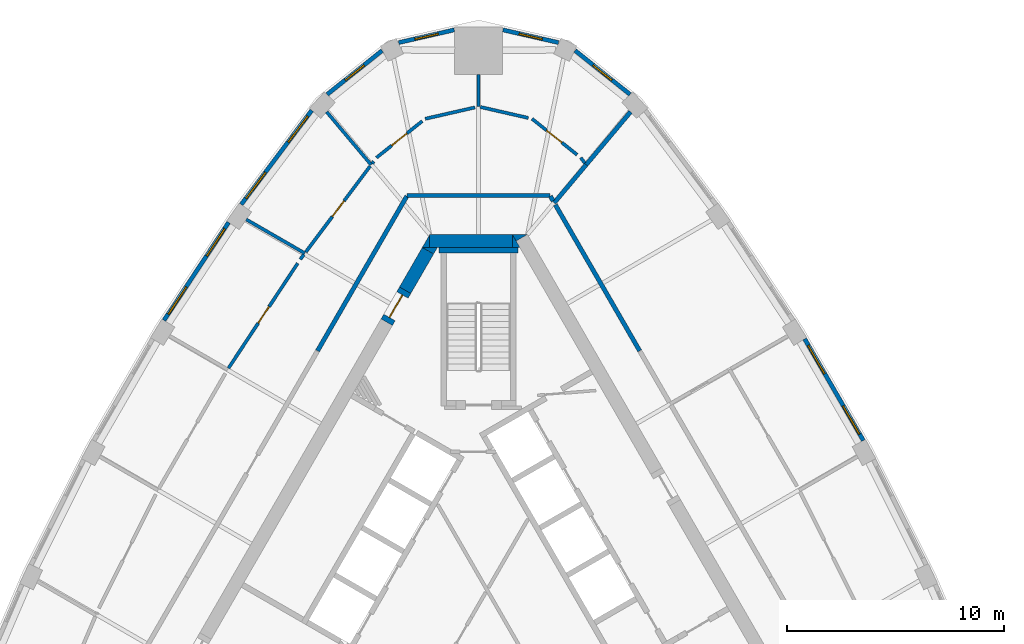
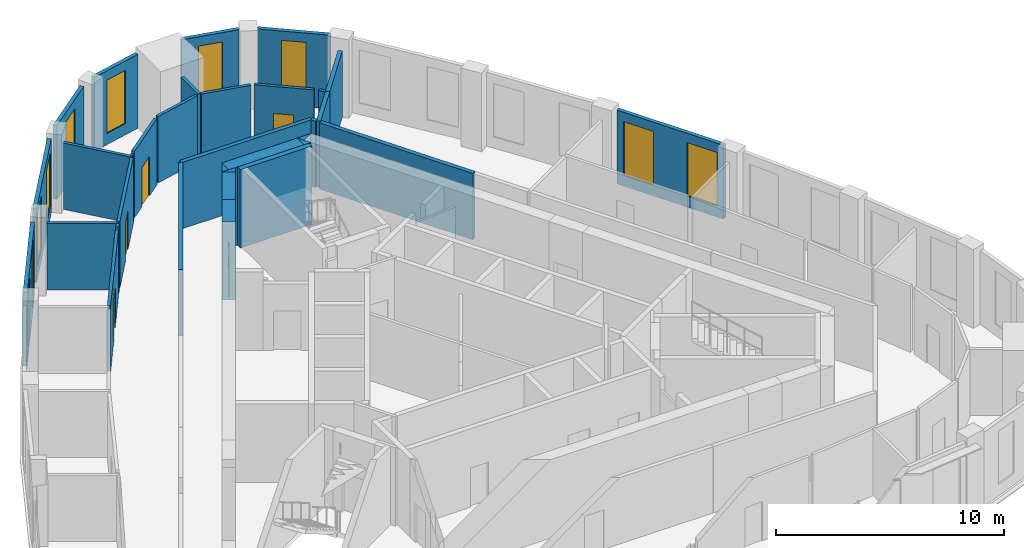
# One storey, part 8 of 10: 33 walls, 10 windows, 5 doors, 15 openings.
"""IFC4 building model written with IfcOpenShell, lengths in metres."""

from ifc_helpers import new_model, si_unit, direction, frame, frame_2d, origin, place, context, subcontext, project, spatial, polyline, rectangle, outline, extrude, material, layer, layer_set, type_object, element, fill, save


model = new_model("IFC4")

# Units and contexts
model_context = context("Model", 3, precision=1e-05, world=origin(), true_north=direction((0.0, 1.0)))
body_context = subcontext(model_context, "Body", "Model", "MODEL_VIEW")
ifc_project = project(units=[si_unit("LENGTHUNIT", "METRE"), si_unit("AREAUNIT", "SQUARE_METRE"), si_unit("VOLUMEUNIT", "CUBIC_METRE"), si_unit("PLANEANGLEUNIT", "RADIAN"), si_unit("MASSUNIT", "GRAM", prefix="KILO")], contexts=[model_context])

# Site, building, storey
site_placement = place(None, origin())
site = spatial("IfcSite", under=ifc_project, at=site_placement, CompositionType="ELEMENT")
building_placement = place(site_placement, origin())
building = spatial("IfcBuilding", under=site, at=building_placement, Name="Mestral Congress Tower", CompositionType="ELEMENT")
storey_placement = place(building_placement, frame((0.0, 0.0, 279.60009765625)))
storey = spatial("IfcBuildingStorey", under=building, at=storey_placement, Name="L65", CompositionType="ELEMENT", Elevation=279.60009765625)

# Walls
ifc_material_1 = material(Name="Concrete C60/75", Category="concrete")
ifc_layer_1 = layer(ifc_material_1, 0.60009765625)
ifc_layer_set_1 = layer_set([ifc_layer_1], Name="Concrete C60/75")
wall_type_1 = type_object("IfcWallType", Name="Core wall RC 600", PredefinedType="SOLIDWALL", material=ifc_layer_set_1)
placement = place(storey_placement, origin())
element("IfcWall", 1, at=placement, inside=storey, type_object=wall_type_1, Name="L65 core wall", PredefinedType="SOLIDWALL", context=body_context, shape_type="SweptSolid", body=[
    extrude(outline(polyline([(1.558837890625, 16.60009765625), (2.23486328125, 16.60009765625), (1.727783203125, 16.307373046875), (1.558837890625, 16.60009765625)])), origin(), (0.0, 0.0, 1.0), 4.199951171875),
])
wall_2_placement = place(storey_placement, frame((-2.258056640625, 16.300048828125, 0.0), z_axis=(0.0, 0.0, 1.0), x_axis=(1.0, 0.0, 0.0)))
element("IfcWall", 2, at=wall_2_placement, inside=storey, type_object=wall_type_1, Name="L65 core wall", PredefinedType="SOLIDWALL", context=body_context, shape_type="SweptSolid", body=[
    extrude(rectangle(XDim=3.8232421875, YDim=0.60009765625, at=frame_2d((1.91162109375, 0.0))), origin(), (0.0, 0.0, 1.0), 4.199951171875),
])
element("IfcWall", 3, at=placement, inside=storey, type_object=wall_type_1, Name="L65 core wall", PredefinedType="SOLIDWALL", context=body_context, shape_type="SweptSolid", body=[
    extrude(outline(polyline([(1.9052734375, 16.0), (1.5673828125, 16.0), (1.5673828125, 16.58544921875), (1.9052734375, 16.0)])), origin(), (0.0, 0.0, 1.0), 4.199951171875),
])
element("IfcWall", 4, at=placement, inside=storey, type_object=wall_type_1, Name="L65 core wall", PredefinedType="SOLIDWALL", context=body_context, shape_type="SweptSolid", body=[
    extrude(outline(polyline([(-2.59814453125, 16.0), (-2.260009765625, 16.58544921875), (-2.260009765625, 16.0), (-2.59814453125, 16.0)])), origin(), (0.0, 0.0, 1.0), 4.199951171875),
])
wall_5_placement = place(storey_placement, frame((-2.335205078125, 15.85546875, 0.0), z_axis=(0.0, 0.0, 1.0), x_axis=(-0.499980971027, -0.866036389889, 0.0)))
element("IfcWall", 5, at=wall_5_placement, inside=storey, type_object=wall_type_1, Name="L65 core wall", PredefinedType="SOLIDWALL", context=body_context, shape_type="SweptSolid", body=[
    extrude(rectangle(XDim=2.09814453125, YDim=0.60009765625, at=frame_2d((1.049072265625, 0.0))), origin(), (0.0, 0.0, 1.0), 4.199951171875),
])
element("IfcWall", 6, at=placement, inside=storey, type_object=wall_type_1, Name="L65 core wall", PredefinedType="SOLIDWALL", context=body_context, shape_type="SweptSolid", body=[
    extrude(outline(polyline([(-1.9052734375, 16.0), (-2.07421875, 15.707275390625), (-2.581298828125, 16.0), (-1.9052734375, 16.0)])), origin(), (0.0, 0.0, 1.0), 4.199951171875),
])

# Wall, opening, door
wall_7_placement = place(storey_placement, frame((-4.234375, 12.56591796875, 0.0), z_axis=(0.0, 0.0, 1.0), x_axis=(0.500000056704, 0.866025371046, 0.0)))
wall_7 = element("IfcWall", 7, at=wall_7_placement, inside=storey, type_object=wall_type_1, Name="L65 door wall", PredefinedType="SOLIDWALL", context=body_context, shape_type="SweptSolid", body=[
    extrude(rectangle(XDim=1.7001953125, YDim=0.60009765625, at=frame_2d((0.85009765625, 0.0))), origin(), (0.0, 0.0, 1.0), 4.199951171875),
])
opening_1_placement = place(wall_7_placement, frame((0.25, 0.0, 0.0)))
opening_1 = element("IfcOpeningElement", 8, at=opening_1_placement, cuts=wall_7, Name="Opening XD2", PredefinedType="OPENING", context=body_context, shape_type="SweptSolid", body=[
    extrude(rectangle(XDim=1.199951171875, YDim=2.10009765625, at=frame_2d((0.60009765625, 1.050048828125))), frame((0.0, 0.31005859375, 0.0), z_axis=(0.0, -1.0, 0.0), x_axis=(1.0, 0.0, 0.0)), (0.0, 0.0, 1.0), 0.6201171875),
])
ifc_material_2 = material(Name="Fire-rated steel door set", Category="steel")
door_type_1 = type_object("IfcDoorType", Name="Core door XD 1200x2100", OperationType="SINGLE_SWING_LEFT", PredefinedType="DOOR", material=ifc_material_2)
door_1_placement = place(opening_1_placement, origin())
door_1 = element("IfcDoor", 9, at=door_1_placement, inside=storey, type_object=door_type_1, Name="Door XD2", OperationType="SINGLE_SWING_LEFT", OverallHeight=2.10009765625, OverallWidth=1.199951171875, PredefinedType="DOOR", context=body_context, shape_type="SweptSolid", body=[
    extrude(rectangle(XDim=1.199951171875, YDim=2.10009765625, at=frame_2d((0.60009765625, 1.050048828125))), frame((0.0, 0.02490234375, 0.0), z_axis=(0.0, -1.0, 0.0), x_axis=(1.0, 0.0, 0.0)), (0.0, 0.0, 1.0), 0.050048828125),
])
fill(opening_1, door_1)

# Wall, openings, windows
ifc_material_3 = material(Name="Precast concrete C40/50 with limestone facing", Category="masonry")
ifc_layer_2 = layer(ifc_material_3, 0.18994140625)
ifc_layer_set_2 = layer_set([ifc_layer_2], Name="Precast concrete C40/50 with limestone facing")
wall_type_2 = type_object("IfcWallType", Name="Facade stone wall 190", PredefinedType="SOLIDWALL", material=ifc_layer_set_2)
wall_8_placement = place(storey_placement, frame((17.728271484375, 7.1142578125, 0.0), z_axis=(0.0, 0.0, 1.0), x_axis=(-0.500024767483, 0.866011103799, 0.0)))
wall_8 = element("IfcWall", 10, at=wall_8_placement, inside=storey, type_object=wall_type_2, Name="Facade wall F1-02", PredefinedType="SOLIDWALL", context=body_context, shape_type="SweptSolid", body=[
    extrude(rectangle(XDim=5.406005859375, YDim=0.18994140625, at=frame_2d((2.703125, 0.0))), origin(), (0.0, 0.0, 1.0), 3.949951171875),
])
opening_2_placement = place(wall_8_placement, frame((0.346435546875, 0.0, 0.60009765625)))
opening_2 = element("IfcOpeningElement", 11, at=opening_2_placement, cuts=wall_8, Name="Opening W6", PredefinedType="OPENING", context=body_context, shape_type="SweptSolid", body=[
    extrude(rectangle(XDim=1.5, YDim=2.85009765625, at=frame_2d((0.75, 1.425048828125))), frame((0.0, 0.10498046875, 0.0), z_axis=(0.0, -1.0, 0.0), x_axis=(1.0, 0.0, 0.0)), (0.0, 0.0, 1.0), 0.2099609375),
])
opening_3_placement = place(wall_8_placement, frame((3.5595703125, 0.0, 0.60009765625)))
opening_3 = element("IfcOpeningElement", 12, at=opening_3_placement, cuts=wall_8, Name="Opening W6", PredefinedType="OPENING", context=body_context, shape_type="SweptSolid", body=[
    extrude(rectangle(XDim=1.5, YDim=2.85009765625, at=frame_2d((0.75, 1.425048828125))), frame((0.0, 0.10498046875, 0.0), z_axis=(0.0, -1.0, 0.0), x_axis=(1.0, 0.0, 0.0)), (0.0, 0.0, 1.0), 0.2099609375),
])
ifc_material_4 = material(Name="Clear low-emissivity double glazing", Category="glass")
window_type_1 = type_object("IfcWindowType", Name="Facade punched window 1500 x 2850 sill 600", PartitioningType="SINGLE_PANEL", PredefinedType="WINDOW", material=ifc_material_4)
window_1_placement = place(opening_2_placement, origin())
window_1 = element("IfcWindow", 13, at=window_1_placement, inside=storey, type_object=window_type_1, Name="Window F1-02a", OverallHeight=2.85009765625, OverallWidth=1.5, PartitioningType="SINGLE_PANEL", PredefinedType="WINDOW", context=body_context, shape_type="SweptSolid", body=[
    extrude(rectangle(XDim=1.5, YDim=2.85009765625, at=frame_2d((0.75, 1.425048828125))), frame((0.0, 0.044921875, 0.0), z_axis=(0.0, -1.0, 0.0), x_axis=(1.0, 0.0, 0.0)), (0.0, 0.0, 1.0), 0.06005859375),
])
fill(opening_2, window_1)
window_2_placement = place(opening_3_placement, origin())
window_2 = element("IfcWindow", 14, at=window_2_placement, inside=storey, type_object=window_type_1, Name="Window F1-02b", OverallHeight=2.85009765625, OverallWidth=1.5, PartitioningType="SINGLE_PANEL", PredefinedType="WINDOW", context=body_context, shape_type="SweptSolid", body=[
    extrude(rectangle(XDim=1.5, YDim=2.85009765625, at=frame_2d((0.75, 1.425048828125))), frame((0.0, 0.044921875, 0.0), z_axis=(0.0, -1.0, 0.0), x_axis=(1.0, 0.0, 0.0)), (0.0, 0.0, 1.0), 0.06005859375),
])
fill(opening_3, window_2)

# Wall, opening, window
wall_9_placement = place(storey_placement, frame((6.977294921875, 23.061279296875, 0.0), z_axis=(0.0, 0.0, 1.0), x_axis=(-0.781626234064, 0.623747088349, 0.0)))
wall_9 = element("IfcWall", 15, at=wall_9_placement, inside=storey, type_object=wall_type_2, Name="Facade wall K1-0", PredefinedType="SOLIDWALL", context=body_context, shape_type="SweptSolid", body=[
    extrude(rectangle(XDim=3.236572265625, YDim=0.18994140625, at=frame_2d((1.6181640625, 0.0))), origin(), (0.0, 0.0, 1.0), 3.949951171875),
])
opening_4_placement = place(wall_9_placement, frame((1.068359375, 0.0, 0.60009765625)))
opening_4 = element("IfcOpeningElement", 16, at=opening_4_placement, cuts=wall_9, Name="Opening W7", PredefinedType="OPENING", context=body_context, shape_type="SweptSolid", body=[
    extrude(rectangle(XDim=1.10009765625, YDim=2.85009765625, at=frame_2d((0.550048828125, 1.425048828125))), frame((0.0, 0.10498046875, 0.0), z_axis=(0.0, -1.0, 0.0), x_axis=(1.0, 0.0, 0.0)), (0.0, 0.0, 1.0), 0.2099609375),
])
window_type_2 = type_object("IfcWindowType", Name="Facade punched window 1100 x 2850 sill 600", PartitioningType="SINGLE_PANEL", PredefinedType="WINDOW", material=ifc_material_4)
window_3_placement = place(opening_4_placement, origin())
window_3 = element("IfcWindow", 17, at=window_3_placement, inside=storey, type_object=window_type_2, Name="Window K1-0", OverallHeight=2.85009765625, OverallWidth=1.10009765625, PartitioningType="SINGLE_PANEL", PredefinedType="WINDOW", context=body_context, shape_type="SweptSolid", body=[
    extrude(rectangle(XDim=1.10009765625, YDim=2.85009765625, at=frame_2d((0.550048828125, 1.425048828125))), frame((0.0, 0.044921875, 0.0), z_axis=(0.0, -1.0, 0.0), x_axis=(1.0, 0.0, 0.0)), (0.0, 0.0, 1.0), 0.06005859375),
])
fill(opening_4, window_3)

wall_10_placement = place(storey_placement, frame((3.6826171875, 25.44873046875, 0.0), z_axis=(0.0, 0.0, 1.0), x_axis=(-0.974913273386, 0.222585060988, 0.0)))
wall_10 = element("IfcWall", 18, at=wall_10_placement, inside=storey, type_object=wall_type_2, Name="Facade wall K1-1", PredefinedType="SOLIDWALL", context=body_context, shape_type="SweptSolid", body=[
    extrude(rectangle(XDim=2.626953125, YDim=0.18994140625, at=frame_2d((1.3134765625, 0.0))), origin(), (0.0, 0.0, 1.0), 3.949951171875),
])
opening_5_placement = place(wall_10_placement, frame((0.763427734375, 0.0, 0.60009765625)))
opening_5 = element("IfcOpeningElement", 19, at=opening_5_placement, cuts=wall_10, Name="Opening W7", PredefinedType="OPENING", context=body_context, shape_type="SweptSolid", body=[
    extrude(rectangle(XDim=1.10009765625, YDim=2.85009765625, at=frame_2d((0.550048828125, 1.425048828125))), frame((0.0, 0.10498046875, 0.0), z_axis=(0.0, -1.0, 0.0), x_axis=(1.0, 0.0, 0.0)), (0.0, 0.0, 1.0), 0.2099609375),
])
window_4_placement = place(opening_5_placement, origin())
window_4 = element("IfcWindow", 20, at=window_4_placement, inside=storey, type_object=window_type_2, Name="Window K1-1", OverallHeight=2.85009765625, OverallWidth=1.10009765625, PartitioningType="SINGLE_PANEL", PredefinedType="WINDOW", context=body_context, shape_type="SweptSolid", body=[
    extrude(rectangle(XDim=1.10009765625, YDim=2.85009765625, at=frame_2d((0.550048828125, 1.425048828125))), frame((0.0, 0.044921875, 0.0), z_axis=(0.0, -1.0, 0.0), x_axis=(1.0, 0.0, 0.0)), (0.0, 0.0, 1.0), 0.06005859375),
])
fill(opening_5, window_4)

wall_11_placement = place(storey_placement, frame((-1.12158203125, 26.033447265625, 0.0), z_axis=(0.0, 0.0, 1.0), x_axis=(-0.974913273386, -0.222585060988, 0.0)))
wall_11 = element("IfcWall", 21, at=wall_11_placement, inside=storey, type_object=wall_type_2, Name="Facade wall K1-2", PredefinedType="SOLIDWALL", context=body_context, shape_type="SweptSolid", body=[
    extrude(rectangle(XDim=2.626953125, YDim=0.18994140625, at=frame_2d((1.3134765625, 0.0))), origin(), (0.0, 0.0, 1.0), 3.949951171875),
])
opening_6_placement = place(wall_11_placement, frame((0.763427734375, 0.0, 0.60009765625)))
opening_6 = element("IfcOpeningElement", 22, at=opening_6_placement, cuts=wall_11, Name="Opening W7", PredefinedType="OPENING", context=body_context, shape_type="SweptSolid", body=[
    extrude(rectangle(XDim=1.10009765625, YDim=2.85009765625, at=frame_2d((0.550048828125, 1.425048828125))), frame((0.0, 0.10498046875, 0.0), z_axis=(0.0, -1.0, 0.0), x_axis=(1.0, 0.0, 0.0)), (0.0, 0.0, 1.0), 0.2099609375),
])
window_5_placement = place(opening_6_placement, origin())
window_5 = element("IfcWindow", 23, at=window_5_placement, inside=storey, type_object=window_type_2, Name="Window K1-2", OverallHeight=2.85009765625, OverallWidth=1.10009765625, PartitioningType="SINGLE_PANEL", PredefinedType="WINDOW", context=body_context, shape_type="SweptSolid", body=[
    extrude(rectangle(XDim=1.10009765625, YDim=2.85009765625, at=frame_2d((0.550048828125, 1.425048828125))), frame((0.0, 0.044921875, 0.0), z_axis=(0.0, -1.0, 0.0), x_axis=(1.0, 0.0, 0.0)), (0.0, 0.0, 1.0), 0.06005859375),
])
fill(opening_6, window_5)

wall_12_placement = place(storey_placement, frame((-4.447509765625, 25.080078125, 0.0), z_axis=(0.0, 0.0, 1.0), x_axis=(-0.781626234064, -0.623747088349, 0.0)))
wall_12 = element("IfcWall", 24, at=wall_12_placement, inside=storey, type_object=wall_type_2, Name="Facade wall K1-3", PredefinedType="SOLIDWALL", context=body_context, shape_type="SweptSolid", body=[
    extrude(rectangle(XDim=3.236572265625, YDim=0.18994140625, at=frame_2d((1.6181640625, 0.0))), origin(), (0.0, 0.0, 1.0), 3.949951171875),
])
opening_7_placement = place(wall_12_placement, frame((1.068359375, 0.0, 0.60009765625)))
opening_7 = element("IfcOpeningElement", 25, at=opening_7_placement, cuts=wall_12, Name="Opening W7", PredefinedType="OPENING", context=body_context, shape_type="SweptSolid", body=[
    extrude(rectangle(XDim=1.10009765625, YDim=2.85009765625, at=frame_2d((0.550048828125, 1.425048828125))), frame((0.0, 0.10498046875, 0.0), z_axis=(0.0, -1.0, 0.0), x_axis=(1.0, 0.0, 0.0)), (0.0, 0.0, 1.0), 0.2099609375),
])
window_6_placement = place(opening_7_placement, origin())
window_6 = element("IfcWindow", 26, at=window_6_placement, inside=storey, type_object=window_type_2, Name="Window K1-3", OverallHeight=2.85009765625, OverallWidth=1.10009765625, PartitioningType="SINGLE_PANEL", PredefinedType="WINDOW", context=body_context, shape_type="SweptSolid", body=[
    extrude(rectangle(XDim=1.10009765625, YDim=2.85009765625, at=frame_2d((0.550048828125, 1.425048828125))), frame((0.0, 0.044921875, 0.0), z_axis=(0.0, -1.0, 0.0), x_axis=(1.0, 0.0, 0.0)), (0.0, 0.0, 1.0), 0.06005859375),
])
fill(opening_7, window_6)

# Wall, openings, windows
wall_13_placement = place(storey_placement, frame((-7.691650390625, 22.32373046875, 0.0), z_axis=(0.0, 0.0, 1.0), x_axis=(-0.599559865294, -0.800329911929, 0.0)))
wall_13 = element("IfcWall", 27, at=wall_13_placement, inside=storey, type_object=wall_type_2, Name="Facade wall F2-00", PredefinedType="SOLIDWALL", context=body_context, shape_type="SweptSolid", body=[
    extrude(rectangle(XDim=5.4150390625, YDim=0.18994140625, at=frame_2d((2.70751953125, 0.0))), origin(), (0.0, 0.0, 1.0), 3.949951171875),
])
opening_8_placement = place(wall_13_placement, frame((0.322509765625, 0.0, 0.60009765625)))
opening_8 = element("IfcOpeningElement", 28, at=opening_8_placement, cuts=wall_13, Name="Opening W6", PredefinedType="OPENING", context=body_context, shape_type="SweptSolid", body=[
    extrude(rectangle(XDim=1.5, YDim=2.85009765625, at=frame_2d((0.75, 1.425048828125))), frame((0.0, 0.10498046875, 0.0), z_axis=(0.0, -1.0, 0.0), x_axis=(1.0, 0.0, 0.0)), (0.0, 0.0, 1.0), 0.2099609375),
])
opening_9_placement = place(wall_13_placement, frame((3.5576171875, 0.0, 0.60009765625)))
opening_9 = element("IfcOpeningElement", 29, at=opening_9_placement, cuts=wall_13, Name="Opening W6", PredefinedType="OPENING", context=body_context, shape_type="SweptSolid", body=[
    extrude(rectangle(XDim=1.5, YDim=2.85009765625, at=frame_2d((0.75, 1.425048828125))), frame((0.0, 0.10498046875, 0.0), z_axis=(0.0, -1.0, 0.0), x_axis=(1.0, 0.0, 0.0)), (0.0, 0.0, 1.0), 0.2099609375),
])
window_7_placement = place(opening_8_placement, origin())
window_7 = element("IfcWindow", 30, at=window_7_placement, inside=storey, type_object=window_type_1, Name="Window F2-00a", OverallHeight=2.85009765625, OverallWidth=1.5, PartitioningType="SINGLE_PANEL", PredefinedType="WINDOW", context=body_context, shape_type="SweptSolid", body=[
    extrude(rectangle(XDim=1.5, YDim=2.85009765625, at=frame_2d((0.75, 1.425048828125))), frame((0.0, 0.044921875, 0.0), z_axis=(0.0, -1.0, 0.0), x_axis=(1.0, 0.0, 0.0)), (0.0, 0.0, 1.0), 0.06005859375),
])
fill(opening_8, window_7)
window_8_placement = place(opening_9_placement, origin())
window_8 = element("IfcWindow", 31, at=window_8_placement, inside=storey, type_object=window_type_1, Name="Window F2-00b", OverallHeight=2.85009765625, OverallWidth=1.5, PartitioningType="SINGLE_PANEL", PredefinedType="WINDOW", context=body_context, shape_type="SweptSolid", body=[
    extrude(rectangle(XDim=1.5, YDim=2.85009765625, at=frame_2d((0.75, 1.425048828125))), frame((0.0, 0.044921875, 0.0), z_axis=(0.0, -1.0, 0.0), x_axis=(1.0, 0.0, 0.0)), (0.0, 0.0, 1.0), 0.06005859375),
])
fill(opening_9, window_8)

wall_14_placement = place(storey_placement, frame((-11.518310546875, 17.16552734375, 0.0), z_axis=(0.0, 0.0, 1.0), x_axis=(-0.550744054781, -0.83467417962, 0.0)))
wall_14 = element("IfcWall", 32, at=wall_14_placement, inside=storey, type_object=wall_type_2, Name="Facade wall F2-01", PredefinedType="SOLIDWALL", context=body_context, shape_type="SweptSolid", body=[
    extrude(rectangle(XDim=5.406005859375, YDim=0.18994140625, at=frame_2d((2.703125, 0.0))), origin(), (0.0, 0.0, 1.0), 3.949951171875),
])
opening_10_placement = place(wall_14_placement, frame((0.346435546875, 0.0, 0.60009765625)))
opening_10 = element("IfcOpeningElement", 33, at=opening_10_placement, cuts=wall_14, Name="Opening W6", PredefinedType="OPENING", context=body_context, shape_type="SweptSolid", body=[
    extrude(rectangle(XDim=1.5, YDim=2.85009765625, at=frame_2d((0.75, 1.425048828125))), frame((0.0, 0.10498046875, 0.0), z_axis=(0.0, -1.0, 0.0), x_axis=(1.0, 0.0, 0.0)), (0.0, 0.0, 1.0), 0.2099609375),
])
opening_11_placement = place(wall_14_placement, frame((3.559326171875, 0.0, 0.60009765625)))
opening_11 = element("IfcOpeningElement", 34, at=opening_11_placement, cuts=wall_14, Name="Opening W6", PredefinedType="OPENING", context=body_context, shape_type="SweptSolid", body=[
    extrude(rectangle(XDim=1.5, YDim=2.85009765625, at=frame_2d((0.75, 1.425048828125))), frame((0.0, 0.10498046875, 0.0), z_axis=(0.0, -1.0, 0.0), x_axis=(1.0, 0.0, 0.0)), (0.0, 0.0, 1.0), 0.2099609375),
])
window_9_placement = place(opening_10_placement, origin())
window_9 = element("IfcWindow", 35, at=window_9_placement, inside=storey, type_object=window_type_1, Name="Window F2-01a", OverallHeight=2.85009765625, OverallWidth=1.5, PartitioningType="SINGLE_PANEL", PredefinedType="WINDOW", context=body_context, shape_type="SweptSolid", body=[
    extrude(rectangle(XDim=1.5, YDim=2.85009765625, at=frame_2d((0.75, 1.425048828125))), frame((0.0, 0.044921875, 0.0), z_axis=(0.0, -1.0, 0.0), x_axis=(1.0, 0.0, 0.0)), (0.0, 0.0, 1.0), 0.06005859375),
])
fill(opening_10, window_9)
window_10_placement = place(opening_11_placement, origin())
window_10 = element("IfcWindow", 36, at=window_10_placement, inside=storey, type_object=window_type_1, Name="Window F2-01b", OverallHeight=2.85009765625, OverallWidth=1.5, PartitioningType="SINGLE_PANEL", PredefinedType="WINDOW", context=body_context, shape_type="SweptSolid", body=[
    extrude(rectangle(XDim=1.5, YDim=2.85009765625, at=frame_2d((0.75, 1.425048828125))), frame((0.0, 0.044921875, 0.0), z_axis=(0.0, -1.0, 0.0), x_axis=(1.0, 0.0, 0.0)), (0.0, 0.0, 1.0), 0.06005859375),
])
fill(opening_11, window_10)

# Walls
ifc_material_5 = material(Name="Plasterboard partition on steel studs", Category="steel")
ifc_layer_3 = layer(ifc_material_5, 0.14990234375)
ifc_layer_set_3 = layer_set([ifc_layer_3], Name="Plasterboard partition on steel studs")
wall_type_3 = type_object("IfcWallType", Name="Office partition 150", PredefinedType="PARTITIONING", material=ifc_layer_set_3)
wall_15_placement = place(storey_placement, frame((0.0, 22.49951171875, 0.0), z_axis=(0.0, 0.0, 1.0), x_axis=(0.0, 1.0, 0.0)))
element("IfcWall", 37, at=wall_15_placement, inside=storey, type_object=wall_type_3, Name="Partition", PredefinedType="PARTITIONING", context=body_context, shape_type="SweptSolid", body=[
    extrude(rectangle(XDim=1.478515625, YDim=0.14990234375, at=frame_2d((0.7392578125, 0.0))), origin(), (0.0, 0.0, 1.0), 3.5498046875),
])
wall_16_placement = place(storey_placement, frame((4.89111328125, 19.8994140625, 0.0), z_axis=(0.0, 0.0, 1.0), x_axis=(-0.6, 0.8, 0.0)))
element("IfcWall", 38, at=wall_16_placement, inside=storey, type_object=wall_type_3, Name="Partition", PredefinedType="PARTITIONING", context=body_context, shape_type="SweptSolid", body=[
    extrude(rectangle(XDim=0.308837890625, YDim=0.14990234375, at=frame_2d((0.154296875, 0.0))), origin(), (0.0, 0.0, 1.0), 3.5498046875),
])

# Wall, opening, door
wall_17_placement = place(storey_placement, frame((2.4619140625, 21.937255859375, 0.0), z_axis=(0.0, 0.0, 1.0), x_axis=(0.781630346222, -0.62374193531, 0.0)))
wall_17 = element("IfcWall", 39, at=wall_17_placement, inside=storey, type_object=wall_type_3, Name="Partition", PredefinedType="PARTITIONING", context=body_context, shape_type="SweptSolid", body=[
    extrude(rectangle(XDim=2.656494140625, YDim=0.14990234375, at=frame_2d((1.328125, 0.0))), origin(), (0.0, 0.0, 1.0), 3.5498046875),
])
opening_12_placement = place(wall_17_placement, frame((0.856689453125, 0.0, 0.0)))
opening_12 = element("IfcOpeningElement", 40, at=opening_12_placement, cuts=wall_17, Name="Opening O12-010", PredefinedType="OPENING", context=body_context, shape_type="SweptSolid", body=[
    extrude(rectangle(XDim=0.89990234375, YDim=2.10009765625, at=frame_2d((0.449951171875, 1.050048828125))), frame((0.0, 0.0849609375, 0.0), z_axis=(0.0, -1.0, 0.0), x_axis=(1.0, 0.0, 0.0)), (0.0, 0.0, 1.0), 0.169921875),
])
ifc_material_6 = material(Name="Timber door set", Category="wood")
door_type_2 = type_object("IfcDoorType", Name="Office door 900x2100", OperationType="SINGLE_SWING_LEFT", PredefinedType="DOOR", material=ifc_material_6)
door_2_placement = place(opening_12_placement, origin())
door_2 = element("IfcDoor", 41, at=door_2_placement, inside=storey, type_object=door_type_2, Name="Door O12-010", OperationType="SINGLE_SWING_LEFT", OverallHeight=2.10009765625, OverallWidth=0.89990234375, PredefinedType="DOOR", context=body_context, shape_type="SweptSolid", body=[
    extrude(rectangle(XDim=0.89990234375, YDim=2.10009765625, at=frame_2d((0.449951171875, 1.050048828125))), frame((0.0, 0.02490234375, 0.0), z_axis=(0.0, -1.0, 0.0), x_axis=(1.0, 0.0, 0.0)), (0.0, 0.0, 1.0), 0.050048828125),
])
fill(opening_12, door_2)

# Walls
wall_18_placement = place(storey_placement, frame((2.29345703125, 21.975830078125, 0.0), z_axis=(0.0, 0.0, 1.0), x_axis=(-0.974905760283, 0.22261796551, 0.0)))
element("IfcWall", 42, at=wall_18_placement, inside=storey, type_object=wall_type_3, Name="Partition", PredefinedType="PARTITIONING", context=body_context, shape_type="SweptSolid", body=[
    extrude(rectangle(XDim=2.275634765625, YDim=0.14990234375, at=frame_2d((1.1376953125, 0.0))), origin(), (0.0, 0.0, 1.0), 3.5498046875),
])
wall_19_placement = place(storey_placement, frame((-4.952392578125, 19.8173828125, 0.0), z_axis=(0.0, 0.0, 1.0), x_axis=(-0.643023053688, 0.765846820471, 0.0)))
element("IfcWall", 43, at=wall_19_placement, inside=storey, type_object=wall_type_3, Name="Partition", PredefinedType="PARTITIONING", context=body_context, shape_type="SweptSolid", body=[
    extrude(rectangle(XDim=3.184326171875, YDim=0.14990234375, at=frame_2d((1.59228515625, 0.0))), origin(), (0.0, 0.0, 1.0), 3.5498046875),
])
wall_20_placement = place(storey_placement, frame((-0.16845703125, 22.461181640625, 0.0), z_axis=(0.0, 0.0, 1.0), x_axis=(-0.974885550769, -0.222706450069, 0.0)))
element("IfcWall", 44, at=wall_20_placement, inside=storey, type_object=wall_type_3, Name="Partition", PredefinedType="PARTITIONING", context=body_context, shape_type="SweptSolid", body=[
    extrude(rectangle(XDim=2.3525390625, YDim=0.14990234375, at=frame_2d((1.17626953125, 0.0))), origin(), (0.0, 0.0, 1.0), 3.5498046875),
])

# Wall, opening, door
wall_21_placement = place(storey_placement, frame((-4.705810546875, 20.146484375, 0.0), z_axis=(0.0, 0.0, 1.0), x_axis=(0.781592149204, 0.623789798172, 0.0)))
wall_21 = element("IfcWall", 45, at=wall_21_placement, inside=storey, type_object=wall_type_3, Name="Partition", PredefinedType="PARTITIONING", context=body_context, shape_type="SweptSolid", body=[
    extrude(rectangle(XDim=2.6982421875, YDim=0.14990234375, at=frame_2d((1.34912109375, 0.0))), origin(), (0.0, 0.0, 1.0), 3.5498046875),
])
opening_13_placement = place(wall_21_placement, frame((0.898193359375, 0.0, 0.0)))
opening_13 = element("IfcOpeningElement", 46, at=opening_13_placement, cuts=wall_21, Name="Opening O12-011", PredefinedType="OPENING", context=body_context, shape_type="SweptSolid", body=[
    extrude(rectangle(XDim=0.89990234375, YDim=2.10009765625, at=frame_2d((0.449951171875, 1.050048828125))), frame((0.0, 0.0849609375, 0.0), z_axis=(0.0, -1.0, 0.0), x_axis=(1.0, 0.0, 0.0)), (0.0, 0.0, 1.0), 0.169921875),
])
door_3_placement = place(opening_13_placement, origin())
door_3 = element("IfcDoor", 47, at=door_3_placement, inside=storey, type_object=door_type_2, Name="Door O12-011", OperationType="SINGLE_SWING_LEFT", OverallHeight=2.10009765625, OverallWidth=0.89990234375, PredefinedType="DOOR", context=body_context, shape_type="SweptSolid", body=[
    extrude(rectangle(XDim=0.89990234375, YDim=2.10009765625, at=frame_2d((0.449951171875, 1.050048828125))), frame((0.0, 0.02490234375, 0.0), z_axis=(0.0, -1.0, 0.0), x_axis=(1.0, 0.0, 0.0)), (0.0, 0.0, 1.0), 0.050048828125),
])
fill(opening_13, door_3)

# Walls
wall_22_placement = place(storey_placement, frame((-4.83447265625, 19.97509765625, 0.0), z_axis=(0.0, 0.0, 1.0), x_axis=(-0.599349659863, -0.800487342325, 0.0)))
element("IfcWall", 48, at=wall_22_placement, inside=storey, type_object=wall_type_3, Name="Partition", PredefinedType="PARTITIONING", context=body_context, shape_type="SweptSolid", body=[
    extrude(rectangle(XDim=0.1201171875, YDim=0.14990234375, at=frame_2d((0.06005859375, 0.0))), origin(), (0.0, 0.0, 1.0), 3.5498046875),
])
wall_23_placement = place(storey_placement, frame((-8.007080078125, 15.73974609375, 0.0), z_axis=(0.0, 0.0, 1.0), x_axis=(-0.866044607523, 0.499966736674, 0.0)))
element("IfcWall", 49, at=wall_23_placement, inside=storey, type_object=wall_type_3, Name="Partition", PredefinedType="PARTITIONING", context=body_context, shape_type="SweptSolid", body=[
    extrude(rectangle(XDim=3.114501953125, YDim=0.14990234375, at=frame_2d((1.55712890625, 0.0))), origin(), (0.0, 0.0, 1.0), 3.5498046875),
])

# Wall, opening, door
wall_24_placement = place(storey_placement, frame((-7.9619140625, 15.800048828125, 0.0), z_axis=(0.0, 0.0, 1.0), x_axis=(0.599541489613, 0.800343677574, 0.0)))
wall_24 = element("IfcWall", 50, at=wall_24_placement, inside=storey, type_object=wall_type_3, Name="Partition", PredefinedType="PARTITIONING", context=body_context, shape_type="SweptSolid", body=[
    extrude(rectangle(XDim=4.9423828125, YDim=0.14990234375, at=frame_2d((2.47119140625, 0.0))), origin(), (0.0, 0.0, 1.0), 3.5498046875),
])
opening_14_placement = place(wall_24_placement, frame((2.042236328125, 0.0, 0.0)))
opening_14 = element("IfcOpeningElement", 51, at=opening_14_placement, cuts=wall_24, Name="Opening O12-012", PredefinedType="OPENING", context=body_context, shape_type="SweptSolid", body=[
    extrude(rectangle(XDim=0.89990234375, YDim=2.10009765625, at=frame_2d((0.449951171875, 1.050048828125))), frame((0.0, 0.0849609375, 0.0), z_axis=(0.0, -1.0, 0.0), x_axis=(1.0, 0.0, 0.0)), (0.0, 0.0, 1.0), 0.169921875),
])
door_4_placement = place(opening_14_placement, origin())
door_4 = element("IfcDoor", 52, at=door_4_placement, inside=storey, type_object=door_type_2, Name="Door O12-012", OperationType="SINGLE_SWING_RIGHT", OverallHeight=2.10009765625, OverallWidth=0.89990234375, PredefinedType="DOOR", context=body_context, shape_type="SweptSolid", body=[
    extrude(rectangle(XDim=0.89990234375, YDim=2.10009765625, at=frame_2d((0.449951171875, 1.050048828125))), frame((0.0, 0.02490234375, 0.0), z_axis=(0.0, -1.0, 0.0), x_axis=(1.0, 0.0, 0.0)), (0.0, 0.0, 1.0), 0.050048828125),
])
fill(opening_14, door_4)

# Wall
wall_25_placement = place(storey_placement, frame((-8.052490234375, 15.67919921875, 0.0), z_axis=(0.0, 0.0, 1.0), x_axis=(-0.599004157744, -0.800745914136, 0.0)))
element("IfcWall", 53, at=wall_25_placement, inside=storey, type_object=wall_type_3, Name="Partition", PredefinedType="PARTITIONING", context=body_context, shape_type="SweptSolid", body=[
    extrude(rectangle(XDim=0.274658203125, YDim=0.14990234375, at=frame_2d((0.13720703125, 0.0))), origin(), (0.0, 0.0, 1.0), 3.5498046875),
])

# Wall, opening, door
wall_26_placement = place(storey_placement, frame((-11.52294921875, 10.449462890625, 0.0), z_axis=(0.0, 0.0, 1.0), x_axis=(0.550751709023, 0.834669129061, 0.0)))
wall_26 = element("IfcWall", 54, at=wall_26_placement, inside=storey, type_object=wall_type_3, Name="Partition", PredefinedType="PARTITIONING", context=body_context, shape_type="SweptSolid", body=[
    extrude(rectangle(XDim=5.7880859375, YDim=0.14990234375, at=frame_2d((2.89404296875, 0.0))), origin(), (0.0, 0.0, 1.0), 3.5498046875),
])
opening_15_placement = place(wall_26_placement, frame((2.488037109375, 0.0, 0.0)))
opening_15 = element("IfcOpeningElement", 55, at=opening_15_placement, cuts=wall_26, Name="Opening O12-013", PredefinedType="OPENING", context=body_context, shape_type="SweptSolid", body=[
    extrude(rectangle(XDim=0.89990234375, YDim=2.10009765625, at=frame_2d((0.449951171875, 1.050048828125))), frame((0.0, 0.0849609375, 0.0), z_axis=(0.0, -1.0, 0.0), x_axis=(1.0, 0.0, 0.0)), (0.0, 0.0, 1.0), 0.169921875),
])
door_5_placement = place(opening_15_placement, origin())
door_5 = element("IfcDoor", 56, at=door_5_placement, inside=storey, type_object=door_type_2, Name="Door O12-013", OperationType="SINGLE_SWING_RIGHT", OverallHeight=2.10009765625, OverallWidth=0.89990234375, PredefinedType="DOOR", context=body_context, shape_type="SweptSolid", body=[
    extrude(rectangle(XDim=0.89990234375, YDim=2.10009765625, at=frame_2d((0.449951171875, 1.050048828125))), frame((0.0, 0.02490234375, 0.0), z_axis=(0.0, -1.0, 0.0), x_axis=(1.0, 0.0, 0.0)), (0.0, 0.0, 1.0), 0.050048828125),
])
fill(opening_15, door_5)

# Walls
ifc_material_7 = material(Name="Dense masonry wall, plastered", Category="masonry")
ifc_layer_4 = layer(ifc_material_7, 0.199951171875)
ifc_layer_set_4 = layer_set([ifc_layer_4], Name="Dense masonry wall, plastered")
wall_type_4 = type_object("IfcWallType", Name="Office tenancy wall 200", PredefinedType="PARTITIONING", material=ifc_layer_set_4)
wall_27_placement = place(storey_placement, frame((4.949951171875, 19.814208984375, 0.0), z_axis=(0.0, 0.0, 1.0), x_axis=(0.642981953866, 0.765881326971, 0.0)))
element("IfcWall", 57, at=wall_27_placement, inside=storey, type_object=wall_type_4, Name="Tenancy wall", PredefinedType="PARTITIONING", context=body_context, shape_type="SweptSolid", body=[
    extrude(rectangle(XDim=3.188232421875, YDim=0.199951171875, at=frame_2d((1.59423828125, 0.0))), origin(), (0.0, 0.0, 1.0), 3.5498046875),
])
wall_28_placement = place(storey_placement, frame((3.483154296875, 18.06689453125, 0.0), z_axis=(0.0, 0.0, 1.0), x_axis=(0.642896944312, 0.765952687177, 0.0)))
element("IfcWall", 58, at=wall_28_placement, inside=storey, type_object=wall_type_4, Name="Tenancy wall", PredefinedType="PARTITIONING", context=body_context, shape_type="SweptSolid", body=[
    extrude(rectangle(XDim=2.28955078125, YDim=0.199951171875, at=frame_2d((1.144775390625, 0.0))), origin(), (0.0, 0.0, 1.0), 3.5498046875),
])
wall_29_placement = place(storey_placement, frame((7.420654296875, 11.2470703125, 0.0), z_axis=(0.0, 0.0, 1.0), x_axis=(-0.499999024953, 0.866025966727, 0.0)))
element("IfcWall", 59, at=wall_29_placement, inside=storey, type_object=wall_type_4, Name="Tenancy wall", PredefinedType="PARTITIONING", context=body_context, shape_type="SweptSolid", body=[
    extrude(rectangle(XDim=7.7685546875, YDim=0.199951171875, at=frame_2d((3.88427734375, 0.0))), origin(), (0.0, 0.0, 1.0), 3.5498046875),
])
wall_30_placement = place(storey_placement, frame((3.291015625, 18.39990234375, 0.0), z_axis=(0.0, 0.0, 1.0), x_axis=(-1.0, 0.0, 0.0)))
element("IfcWall", 60, at=wall_30_placement, inside=storey, type_object=wall_type_4, Name="Tenancy wall", PredefinedType="PARTITIONING", context=body_context, shape_type="SweptSolid", body=[
    extrude(rectangle(XDim=6.58203125, YDim=0.199951171875, at=frame_2d((3.291015625, 0.0))), origin(), (0.0, 0.0, 1.0), 3.5498046875),
])
wall_31_placement = place(storey_placement, frame((-3.305908203125, 18.3740234375, 0.0), z_axis=(0.0, 0.0, 1.0), x_axis=(-0.499999798456, -0.866025520146, 0.0)))
element("IfcWall", 61, at=wall_31_placement, inside=storey, type_object=wall_type_4, Name="Tenancy wall", PredefinedType="PARTITIONING", context=body_context, shape_type="SweptSolid", body=[
    extrude(rectangle(XDim=8.2294921875, YDim=0.199951171875, at=frame_2d((4.11474609375, 0.0))), origin(), (0.0, 0.0, 1.0), 3.5498046875),
])
wall_32_placement = place(storey_placement, frame((3.429931640625, 18.1591796875, 0.0), z_axis=(0.0, 0.0, 1.0), x_axis=(-0.499949632511, 0.866054481515, 0.0)))
element("IfcWall", 62, at=wall_32_placement, inside=storey, type_object=wall_type_4, Name="Tenancy wall", PredefinedType="PARTITIONING", context=body_context, shape_type="SweptSolid", body=[
    extrude(rectangle(XDim=0.248046875, YDim=0.199951171875, at=frame_2d((0.1240234375, 0.0))), origin(), (0.0, 0.0, 1.0), 3.5498046875),
])
ifc_layer_5 = layer(ifc_material_1, 0.25)
ifc_layer_set_5 = layer_set([ifc_layer_5], Name="Concrete C60/75")
wall_type_5 = type_object("IfcWallType", Name="Stair wall RC 250", PredefinedType="SOLIDWALL", material=ifc_layer_set_5)
wall_33_placement = place(storey_placement, frame((-1.81689453125, 15.875, 0.0), z_axis=(0.0, 0.0, 1.0), x_axis=(1.0, 0.0, 0.0)))
element("IfcWall", 63, at=wall_33_placement, inside=storey, type_object=wall_type_5, Name="L65 core wall", PredefinedType="SOLIDWALL", context=body_context, shape_type="SweptSolid", body=[
    extrude(rectangle(XDim=3.6337890625, YDim=0.25, at=frame_2d((1.81689453125, 0.0))), origin(), (0.0, 0.0, 1.0), 4.199951171875),
])

save(model, "model.ifc")
